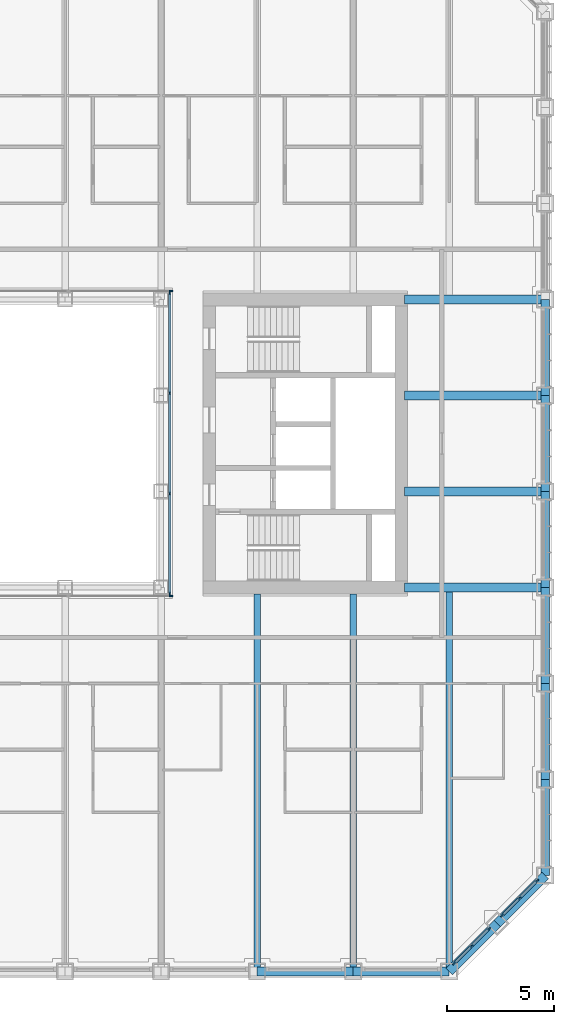
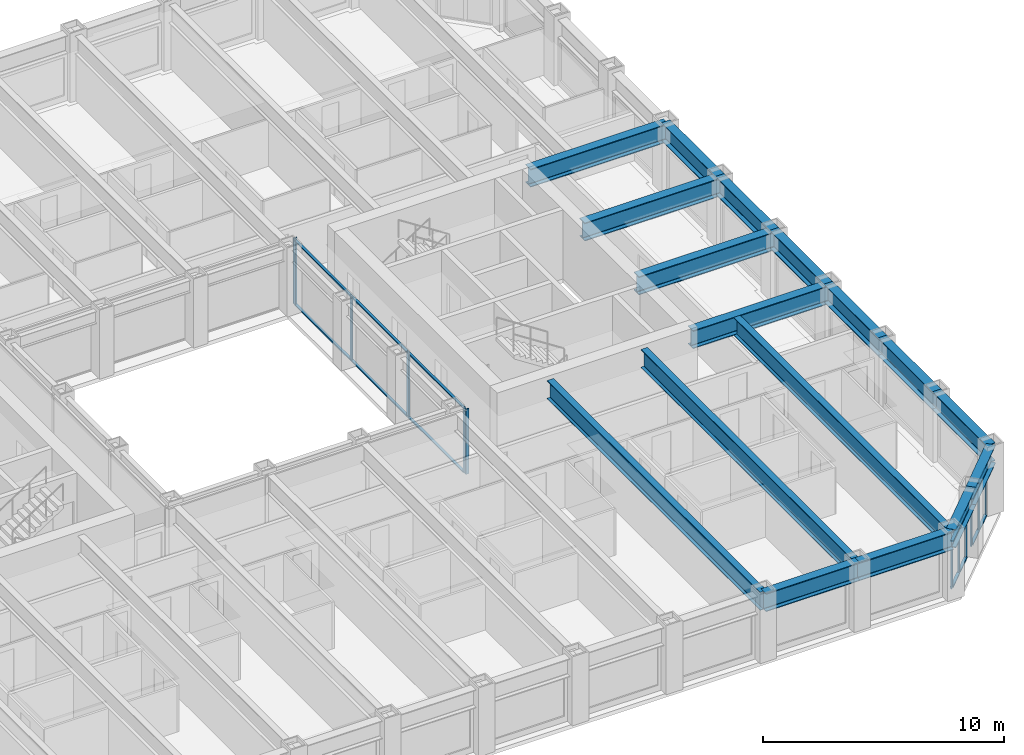
# One storey, part 5 of 21: 26 members, 17 beams, 5 elements without a shape of their own.
"""IFC4 building model written with IfcOpenShell, lengths in metres."""

from ifc_helpers import new_model, si_unit, direction, frame, origin, origin_2d, place, context, subcontext, project, spatial, rectangle, i_section, extrude, material, material_profile, profile_set, type_object, element, aggregate, save


model = new_model("IFC4")

# Units and contexts
model_context = context("Model", 3, precision=1e-05, world=origin(), true_north=direction((0.0, 1.0)))
body_context = subcontext(model_context, "Body", "Model", "MODEL_VIEW")
ifc_project = project(units=[si_unit("LENGTHUNIT", "METRE"), si_unit("AREAUNIT", "SQUARE_METRE"), si_unit("VOLUMEUNIT", "CUBIC_METRE"), si_unit("PLANEANGLEUNIT", "RADIAN"), si_unit("MASSUNIT", "GRAM", prefix="KILO")], contexts=[model_context])

# Site, building, storey
site_placement = place(None, origin())
site = spatial("IfcSite", under=ifc_project, at=site_placement, CompositionType="ELEMENT")
building_placement = place(site_placement, origin())
building = spatial("IfcBuilding", under=site, at=building_placement, Name="Msasa Ring Tower", CompositionType="ELEMENT")
storey_placement = place(building_placement, frame((0.0, 0.0, 47.5)))
storey = spatial("IfcBuildingStorey", under=building, at=storey_placement, Name="L11", CompositionType="ELEMENT", Elevation=47.5)

# Curtain wall, members
ifc_material_1 = material(Name="Aluminium curtain wall with clear glass", Category="aluminium")
curtain_wall_type_1 = type_object("IfcCurtainWallType", Name="CW-C CHAMFER CORNER CURTAIN WALL", PredefinedType="NOTDEFINED", material=ifc_material_1)
curtain_wall_1_placement = place(storey_placement, origin())
curtain_wall_1 = element("IfcCurtainWall", 1, at=curtain_wall_1_placement, inside=storey, type_object=curtain_wall_type_1, Name="Chamfer corner curtain wall SE L11", PredefinedType="NOTDEFINED")
ifc_material_2 = material(Name="Aluminium mullion", Category="aluminium")
ifc_material_profile_1 = material_profile(ifc_material_2, rectangle(XDim=0.06494140625, YDim=0.179931640625, at=origin_2d()), Name="AL 65x180")
ifc_profile_set_1 = profile_set([ifc_material_profile_1], Name="Aluminium mullion")
member_type_1 = type_object("IfcMemberType", Name="CW-C MULLION 65x180", PredefinedType="MULLION", material=ifc_profile_set_1)
member_1_placement = place(storey_placement, frame((20.48876953125, -24.369873046875, 0.0), z_axis=(0.0, 0.0, 1.0), x_axis=(-0.707106781187, 0.707106781187, 0.0)))
member_1 = element("IfcMember", 2, at=member_1_placement, type_object=member_type_1, Name="CW-C mullion 1", PredefinedType="MULLION", context=body_context, shape_type="SweptSolid", body=[
    extrude(rectangle(XDim=0.06494140625, YDim=0.179931640625, at=origin_2d()), origin(), (0.0, 0.0, 1.0), 2.37890625),
])
member_2_placement = place(storey_placement, frame((21.30419921875, -23.55419921875, 0.0), z_axis=(0.0, 0.0, 1.0), x_axis=(-0.707106781187, 0.707106781187, 0.0)))
member_2 = element("IfcMember", 3, at=member_2_placement, type_object=member_type_1, Name="CW-C mullion 2", PredefinedType="MULLION", context=body_context, shape_type="SweptSolid", body=[
    extrude(rectangle(XDim=0.06494140625, YDim=0.179931640625, at=origin_2d()), origin(), (0.0, 0.0, 1.0), 2.37890625),
])
member_3_placement = place(storey_placement, frame((22.119873046875, -22.73876953125, 0.0), z_axis=(0.0, 0.0, 1.0), x_axis=(-0.707106781187, 0.707106781187, 0.0)))
member_3 = element("IfcMember", 4, at=member_3_placement, type_object=member_type_1, Name="CW-C mullion 3", PredefinedType="MULLION", context=body_context, shape_type="SweptSolid", body=[
    extrude(rectangle(XDim=0.06494140625, YDim=0.179931640625, at=origin_2d()), origin(), (0.0, 0.0, 1.0), 2.37890625),
])

curtain_wall_2_placement = place(storey_placement, origin())
curtain_wall_2 = element("IfcCurtainWall", 5, at=curtain_wall_2_placement, inside=storey, type_object=curtain_wall_type_1, Name="Chamfer corner curtain wall SE L11", PredefinedType="NOTDEFINED")
member_4_placement = place(storey_placement, frame((22.73876953125, -22.119873046875, 0.0), z_axis=(0.0, 0.0, 1.0), x_axis=(-0.707106781187, 0.707106781187, 0.0)))
member_4 = element("IfcMember", 6, at=member_4_placement, type_object=member_type_1, Name="CW-C mullion 1", PredefinedType="MULLION", context=body_context, shape_type="SweptSolid", body=[
    extrude(rectangle(XDim=0.06494140625, YDim=0.179931640625, at=origin_2d()), origin(), (0.0, 0.0, 1.0), 2.37890625),
])
member_5_placement = place(storey_placement, frame((23.55419921875, -21.30419921875, 0.0), z_axis=(0.0, 0.0, 1.0), x_axis=(-0.707106781187, 0.707106781187, 0.0)))
member_5 = element("IfcMember", 7, at=member_5_placement, type_object=member_type_1, Name="CW-C mullion 2", PredefinedType="MULLION", context=body_context, shape_type="SweptSolid", body=[
    extrude(rectangle(XDim=0.06494140625, YDim=0.179931640625, at=origin_2d()), origin(), (0.0, 0.0, 1.0), 2.37890625),
])
member_6_placement = place(storey_placement, frame((24.369873046875, -20.48876953125, 0.0), z_axis=(0.0, 0.0, 1.0), x_axis=(-0.707106781187, 0.707106781187, 0.0)))
member_6 = element("IfcMember", 8, at=member_6_placement, type_object=member_type_1, Name="CW-C mullion 3", PredefinedType="MULLION", context=body_context, shape_type="SweptSolid", body=[
    extrude(rectangle(XDim=0.06494140625, YDim=0.179931640625, at=origin_2d()), origin(), (0.0, 0.0, 1.0), 2.37890625),
])

# Member
ifc_material_3 = material(Name="Aluminium transom", Category="aluminium")
ifc_material_profile_2 = material_profile(ifc_material_3, rectangle(XDim=0.139892578125, YDim=0.06494140625, at=origin_2d()), Name="AL 65x140")
ifc_profile_set_2 = profile_set([ifc_material_profile_2], Name="Aluminium transom")
member_type_2 = type_object("IfcMemberType", Name="CW-C TRANSOM 65x140", PredefinedType="USERDEFINED", material=ifc_profile_set_2)
member_7_placement = place(storey_placement, frame((20.51171875, -24.346923828125, 0.032470703125), z_axis=(0.707106781187, 0.707106781187, 0.0), x_axis=(-0.707106781187, 0.707106781187, 0.0)))
member_7 = element("IfcMember", 9, at=member_7_placement, type_object=member_type_2, Name="CW-C transom 1.1", ObjectType="TRANSOM", PredefinedType="USERDEFINED", context=body_context, shape_type="SweptSolid", body=[
    extrude(rectangle(XDim=0.139892578125, YDim=0.06494140625, at=origin_2d()), origin(), (0.0, 0.0, 1.0), 1.08837890625),
])

member_8_placement = place(storey_placement, frame((20.51171875, -24.346923828125, 2.346435546875), z_axis=(0.707106781187, 0.707106781187, 0.0), x_axis=(-0.707106781187, 0.707106781187, 0.0)))
member_8 = element("IfcMember", 10, at=member_8_placement, type_object=member_type_2, Name="CW-C transom 1.2", ObjectType="TRANSOM", PredefinedType="USERDEFINED", context=body_context, shape_type="SweptSolid", body=[
    extrude(rectangle(XDim=0.139892578125, YDim=0.06494140625, at=origin_2d()), origin(), (0.0, 0.0, 1.0), 1.08837890625),
])

member_9_placement = place(storey_placement, frame((21.327392578125, -23.53125, 0.032470703125), z_axis=(0.707106781187, 0.707106781187, 0.0), x_axis=(-0.707106781187, 0.707106781187, 0.0)))
member_9 = element("IfcMember", 11, at=member_9_placement, type_object=member_type_2, Name="CW-C transom 2.1", ObjectType="TRANSOM", PredefinedType="USERDEFINED", context=body_context, shape_type="SweptSolid", body=[
    extrude(rectangle(XDim=0.139892578125, YDim=0.06494140625, at=origin_2d()), origin(), (0.0, 0.0, 1.0), 1.08837890625),
])

member_10_placement = place(storey_placement, frame((21.327392578125, -23.53125, 2.346435546875), z_axis=(0.707106781187, 0.707106781187, 0.0), x_axis=(-0.707106781187, 0.707106781187, 0.0)))
member_10 = element("IfcMember", 12, at=member_10_placement, type_object=member_type_2, Name="CW-C transom 2.2", ObjectType="TRANSOM", PredefinedType="USERDEFINED", context=body_context, shape_type="SweptSolid", body=[
    extrude(rectangle(XDim=0.139892578125, YDim=0.06494140625, at=origin_2d()), origin(), (0.0, 0.0, 1.0), 1.08837890625),
])

aggregate(curtain_wall_1, [member_1, member_2, member_3, member_7, member_8, member_9, member_10])

member_11_placement = place(storey_placement, frame((22.76171875, -22.096923828125, 0.032470703125), z_axis=(0.707106781187, 0.707106781187, 0.0), x_axis=(-0.707106781187, 0.707106781187, 0.0)))
member_11 = element("IfcMember", 13, at=member_11_placement, type_object=member_type_2, Name="CW-C transom 1.1", ObjectType="TRANSOM", PredefinedType="USERDEFINED", context=body_context, shape_type="SweptSolid", body=[
    extrude(rectangle(XDim=0.139892578125, YDim=0.06494140625, at=origin_2d()), origin(), (0.0, 0.0, 1.0), 1.08837890625),
])

member_12_placement = place(storey_placement, frame((22.76171875, -22.096923828125, 2.346435546875), z_axis=(0.707106781187, 0.707106781187, 0.0), x_axis=(-0.707106781187, 0.707106781187, 0.0)))
member_12 = element("IfcMember", 14, at=member_12_placement, type_object=member_type_2, Name="CW-C transom 1.2", ObjectType="TRANSOM", PredefinedType="USERDEFINED", context=body_context, shape_type="SweptSolid", body=[
    extrude(rectangle(XDim=0.139892578125, YDim=0.06494140625, at=origin_2d()), origin(), (0.0, 0.0, 1.0), 1.08837890625),
])

member_13_placement = place(storey_placement, frame((23.577392578125, -21.28125, 0.032470703125), z_axis=(0.707106781187, 0.707106781187, 0.0), x_axis=(-0.707106781187, 0.707106781187, 0.0)))
member_13 = element("IfcMember", 15, at=member_13_placement, type_object=member_type_2, Name="CW-C transom 2.1", ObjectType="TRANSOM", PredefinedType="USERDEFINED", context=body_context, shape_type="SweptSolid", body=[
    extrude(rectangle(XDim=0.139892578125, YDim=0.06494140625, at=origin_2d()), origin(), (0.0, 0.0, 1.0), 1.08837890625),
])

member_14_placement = place(storey_placement, frame((23.577392578125, -21.28125, 2.346435546875), z_axis=(0.707106781187, 0.707106781187, 0.0), x_axis=(-0.707106781187, 0.707106781187, 0.0)))
member_14 = element("IfcMember", 16, at=member_14_placement, type_object=member_type_2, Name="CW-C transom 2.2", ObjectType="TRANSOM", PredefinedType="USERDEFINED", context=body_context, shape_type="SweptSolid", body=[
    extrude(rectangle(XDim=0.139892578125, YDim=0.06494140625, at=origin_2d()), origin(), (0.0, 0.0, 1.0), 1.08837890625),
])

aggregate(curtain_wall_2, [member_4, member_5, member_6, member_11, member_12, member_13, member_14])

# Curtain wall, member
ifc_material_4 = material(Name="Aluminium curtain wall with clear glass", Category="aluminium")
curtain_wall_type_2 = type_object("IfcCurtainWallType", Name="CW-W LIGHT WELL CURTAIN WALL", PredefinedType="NOTDEFINED", material=ifc_material_4)
curtain_wall_3_placement = place(storey_placement, origin())
curtain_wall_3 = element("IfcCurtainWall", 17, at=curtain_wall_3_placement, inside=storey, type_object=curtain_wall_type_2, Name="Light well curtain wall N L11", PredefinedType="NOTDEFINED")
ifc_material_5 = material(Name="Aluminium mullion", Category="aluminium")
ifc_material_profile_3 = material_profile(ifc_material_5, rectangle(XDim=0.06005859375, YDim=0.159912109375, at=origin_2d()), Name="AL 60x160")
ifc_profile_set_3 = profile_set([ifc_material_profile_3], Name="Aluminium mullion")
member_type_3 = type_object("IfcMemberType", Name="CW-W MULLION 60x160", PredefinedType="MULLION", material=ifc_profile_set_3)
member_15_placement = place(storey_placement, frame((7.199951171875, 7.14990234375, 0.0), z_axis=(0.0, 0.0, 1.0), x_axis=(0.0, 1.0, 0.0)))
member_15 = element("IfcMember", 18, at=member_15_placement, type_object=member_type_3, Name="CW-W mullion 4", PredefinedType="MULLION", context=body_context, shape_type="SweptSolid", body=[
    extrude(rectangle(XDim=0.06005859375, YDim=0.159912109375, at=origin_2d()), origin(), (0.0, 0.0, 1.0), 3.300048828125),
])
aggregate(curtain_wall_3, [member_15])

curtain_wall_4_placement = place(storey_placement, origin())
curtain_wall_4 = element("IfcCurtainWall", 19, at=curtain_wall_4_placement, inside=storey, type_object=curtain_wall_type_2, Name="Light well curtain wall S L11", PredefinedType="NOTDEFINED")
member_16_placement = place(storey_placement, frame((7.199951171875, -7.14990234375, 0.0), z_axis=(0.0, 0.0, 1.0), x_axis=(0.0, 1.0, 0.0)))
member_16 = element("IfcMember", 20, at=member_16_placement, type_object=member_type_3, Name="CW-W mullion 4", PredefinedType="MULLION", context=body_context, shape_type="SweptSolid", body=[
    extrude(rectangle(XDim=0.06005859375, YDim=0.159912109375, at=origin_2d()), origin(), (0.0, 0.0, 1.0), 3.300048828125),
])
aggregate(curtain_wall_4, [member_16])

# Curtain wall, members
curtain_wall_5_placement = place(storey_placement, origin())
curtain_wall_5 = element("IfcCurtainWall", 21, at=curtain_wall_5_placement, inside=storey, type_object=curtain_wall_type_2, Name="Light well curtain wall E L11", PredefinedType="NOTDEFINED")
member_17_placement = place(storey_placement, frame((7.14990234375, -7.0400390625, 0.0), z_axis=(0.0, 0.0, 1.0), x_axis=(-1.0, 0.0, 0.0)))
member_17 = element("IfcMember", 22, at=member_17_placement, type_object=member_type_3, Name="CW-W mullion 1", PredefinedType="MULLION", context=body_context, shape_type="SweptSolid", body=[
    extrude(rectangle(XDim=0.06005859375, YDim=0.159912109375, at=origin_2d()), origin(), (0.0, 0.0, 1.0), 3.300048828125),
])
member_18_placement = place(storey_placement, frame((7.14990234375, -2.356689453125, 0.0), z_axis=(0.0, 0.0, 1.0), x_axis=(-1.0, 0.0, 0.0)))
member_18 = element("IfcMember", 23, at=member_18_placement, type_object=member_type_3, Name="CW-W mullion 2", PredefinedType="MULLION", context=body_context, shape_type="SweptSolid", body=[
    extrude(rectangle(XDim=0.06005859375, YDim=0.159912109375, at=origin_2d()), origin(), (0.0, 0.0, 1.0), 3.300048828125),
])
member_19_placement = place(storey_placement, frame((7.14990234375, 2.356689453125, 0.0), z_axis=(0.0, 0.0, 1.0), x_axis=(-1.0, 0.0, 0.0)))
member_19 = element("IfcMember", 24, at=member_19_placement, type_object=member_type_3, Name="CW-W mullion 3", PredefinedType="MULLION", context=body_context, shape_type="SweptSolid", body=[
    extrude(rectangle(XDim=0.06005859375, YDim=0.159912109375, at=origin_2d()), origin(), (0.0, 0.0, 1.0), 3.300048828125),
])
member_20_placement = place(storey_placement, frame((7.14990234375, 7.0400390625, 0.0), z_axis=(0.0, 0.0, 1.0), x_axis=(-1.0, 0.0, 0.0)))
member_20 = element("IfcMember", 25, at=member_20_placement, type_object=member_type_3, Name="CW-W mullion 4", PredefinedType="MULLION", context=body_context, shape_type="SweptSolid", body=[
    extrude(rectangle(XDim=0.06005859375, YDim=0.159912109375, at=origin_2d()), origin(), (0.0, 0.0, 1.0), 3.300048828125),
])
ifc_material_6 = material(Name="Aluminium transom", Category="aluminium")
ifc_material_profile_4 = material_profile(ifc_material_6, rectangle(XDim=0.1201171875, YDim=0.06005859375, at=origin_2d()), Name="AL 60x120")
ifc_profile_set_4 = profile_set([ifc_material_profile_4], Name="Aluminium transom")
member_type_4 = type_object("IfcMemberType", Name="CW-W TRANSOM 60x120", PredefinedType="USERDEFINED", material=ifc_profile_set_4)
member_21_placement = place(storey_placement, frame((7.14990234375, -7.010009765625, 0.030029296875), z_axis=(0.0, 1.0, 0.0), x_axis=(-1.0, 0.0, 0.0)))
member_21 = element("IfcMember", 26, at=member_21_placement, type_object=member_type_4, Name="CW-W transom 1.1", ObjectType="TRANSOM", PredefinedType="USERDEFINED", context=body_context, shape_type="SweptSolid", body=[
    extrude(rectangle(XDim=0.1201171875, YDim=0.06005859375, at=origin_2d()), origin(), (0.0, 0.0, 1.0), 4.623291015625),
])
member_22_placement = place(storey_placement, frame((7.14990234375, -7.010009765625, 3.27001953125), z_axis=(0.0, 1.0, 0.0), x_axis=(-1.0, 0.0, 0.0)))
member_22 = element("IfcMember", 27, at=member_22_placement, type_object=member_type_4, Name="CW-W transom 1.2", ObjectType="TRANSOM", PredefinedType="USERDEFINED", context=body_context, shape_type="SweptSolid", body=[
    extrude(rectangle(XDim=0.1201171875, YDim=0.06005859375, at=origin_2d()), origin(), (0.0, 0.0, 1.0), 4.623291015625),
])
member_23_placement = place(storey_placement, frame((7.14990234375, -2.32666015625, 0.030029296875), z_axis=(0.0, 1.0, 0.0), x_axis=(-1.0, 0.0, 0.0)))
member_23 = element("IfcMember", 28, at=member_23_placement, type_object=member_type_4, Name="CW-W transom 2.1", ObjectType="TRANSOM", PredefinedType="USERDEFINED", context=body_context, shape_type="SweptSolid", body=[
    extrude(rectangle(XDim=0.1201171875, YDim=0.06005859375, at=origin_2d()), origin(), (0.0, 0.0, 1.0), 4.6533203125),
])
member_24_placement = place(storey_placement, frame((7.14990234375, -2.32666015625, 3.27001953125), z_axis=(0.0, 1.0, 0.0), x_axis=(-1.0, 0.0, 0.0)))
member_24 = element("IfcMember", 29, at=member_24_placement, type_object=member_type_4, Name="CW-W transom 2.2", ObjectType="TRANSOM", PredefinedType="USERDEFINED", context=body_context, shape_type="SweptSolid", body=[
    extrude(rectangle(XDim=0.1201171875, YDim=0.06005859375, at=origin_2d()), origin(), (0.0, 0.0, 1.0), 4.6533203125),
])
member_25_placement = place(storey_placement, frame((7.14990234375, 2.38671875, 0.030029296875), z_axis=(0.0, 1.0, 0.0), x_axis=(-1.0, 0.0, 0.0)))
member_25 = element("IfcMember", 30, at=member_25_placement, type_object=member_type_4, Name="CW-W transom 3.1", ObjectType="TRANSOM", PredefinedType="USERDEFINED", context=body_context, shape_type="SweptSolid", body=[
    extrude(rectangle(XDim=0.1201171875, YDim=0.06005859375, at=origin_2d()), origin(), (0.0, 0.0, 1.0), 4.623291015625),
])
member_26_placement = place(storey_placement, frame((7.14990234375, 2.38671875, 3.27001953125), z_axis=(0.0, 1.0, 0.0), x_axis=(-1.0, 0.0, 0.0)))
member_26 = element("IfcMember", 31, at=member_26_placement, type_object=member_type_4, Name="CW-W transom 3.2", ObjectType="TRANSOM", PredefinedType="USERDEFINED", context=body_context, shape_type="SweptSolid", body=[
    extrude(rectangle(XDim=0.1201171875, YDim=0.06005859375, at=origin_2d()), origin(), (0.0, 0.0, 1.0), 4.623291015625),
])
aggregate(curtain_wall_5, [member_17, member_18, member_19, member_20, member_21, member_22, member_23, member_24, member_25, member_26])

# Beams
ifc_material_7 = material(Name="Steel S355", Category="steel")
ifc_material_profile_5 = material_profile(ifc_material_7, i_section(OverallWidth=0.42041015625, OverallDepth=0.9208984375, WebThickness=0.021484375, FlangeThickness=0.03662109375, FilletRadius=0.024169921875, at=origin_2d()), Name="UB 914x419x388")
ifc_profile_set_5 = profile_set([ifc_material_profile_5], Name="Steel S355")
beam_type_1 = type_object("IfcBeamType", Name="FB2 UB 914x419x388", PredefinedType="BEAM", material=ifc_profile_set_5)
for number, where, z_axis, x_axis, name in (
    (32, (24.75, -2.25, 2.839599609375), (-1.0, 0.0, 0.0), (0.0, -1.0, 0.0), "Floor beam E -2.25 under L12"),
    (33, (24.75, 2.25, 2.839599609375), (-1.0, 0.0, 0.0), (0.0, -1.0, 0.0), "Floor beam E +2.25 under L12"),
):
    element("IfcBeam", number, at=place(storey_placement, frame(where, z_axis=z_axis, x_axis=x_axis)), inside=storey, type_object=beam_type_1, Name=name, PredefinedType="BEAM", context=body_context, shape_type="SweptSolid", body=[
        extrude(i_section(OverallWidth=0.42041015625, OverallDepth=0.9208984375, WebThickness=0.021484375, FlangeThickness=0.03662109375, FilletRadius=0.024169921875, at=origin_2d()), origin(), (0.0, 0.0, 1.0), 6.60009765625),
    ])
ifc_material_8 = material(Name="Steel S355", Category="steel")
ifc_material_profile_6 = material_profile(ifc_material_8, i_section(OverallWidth=0.3076171875, OverallDepth=0.926513671875, WebThickness=0.01953125, FlangeThickness=0.031982421875, FilletRadius=0.01904296875, at=origin_2d()), Name="UB 914x305x289")
ifc_profile_set_6 = profile_set([ifc_material_profile_6], Name="Steel S355")
beam_type_2 = type_object("IfcBeamType", Name="FB3 UB 914x305x289", PredefinedType="BEAM", material=ifc_profile_set_6)
for number, where, z_axis, x_axis, name in (
    (34, (11.25, -24.75, 2.836669921875), (0.0, 1.0, 0.0), (-1.0, 0.0, 0.0), "Floor beam S+11.25 under L12"),
    (35, (15.75, -24.75, 2.836669921875), (0.0, 1.0, 0.0), (-1.0, 0.0, 0.0), "Floor beam S+15.75 under L12"),
):
    element("IfcBeam", number, at=place(storey_placement, frame(where, z_axis=z_axis, x_axis=x_axis)), inside=storey, type_object=beam_type_2, Name=name, PredefinedType="BEAM", context=body_context, shape_type="SweptSolid", body=[
        extrude(i_section(OverallWidth=0.3076171875, OverallDepth=0.926513671875, WebThickness=0.01953125, FlangeThickness=0.031982421875, FilletRadius=0.01904296875, at=origin_2d()), origin(), (0.0, 0.0, 1.0), 17.699951171875),
    ])
beam_placement = place(storey_placement, frame((20.25, -24.75, 2.836669921875), z_axis=(0.0, 1.0, 0.0), x_axis=(-1.0, 0.0, 0.0)))
element("IfcBeam", 36, at=beam_placement, inside=storey, type_object=beam_type_2, Name="Floor beam S+20.25 under L12", PredefinedType="BEAM", context=body_context, shape_type="SweptSolid", body=[
    extrude(i_section(OverallWidth=0.3076171875, OverallDepth=0.926513671875, WebThickness=0.01953125, FlangeThickness=0.031982421875, FilletRadius=0.01904296875, at=origin_2d()), origin(), (0.0, 0.0, 1.0), 17.789794921875),
])
ifc_material_9 = material(Name="Steel S355", Category="steel")
ifc_material_profile_7 = material_profile(ifc_material_9, i_section(OverallWidth=0.42041015625, OverallDepth=0.9208984375, WebThickness=0.021484375, FlangeThickness=0.03662109375, FilletRadius=0.024169921875, at=origin_2d()), Name="UB 914x419x388")
ifc_profile_set_7 = profile_set([ifc_material_profile_7], Name="Steel S355")
beam_type_3 = type_object("IfcBeamType", Name="GB1 UB 914x419x388", PredefinedType="BEAM", material=ifc_profile_set_7)
for number, where, z_axis, x_axis, name in (
    (37, (18.14990234375, 6.75, 2.839599609375), (1.0, 0.0, 0.0), (0.0, 1.0, 0.0), "Girder E +6.75 under L12"),
    (38, (18.14990234375, -6.75, 2.839599609375), (1.0, 0.0, 0.0), (0.0, 1.0, 0.0), "Girder E -6.75 under L12"),
):
    element("IfcBeam", number, at=place(storey_placement, frame(where, z_axis=z_axis, x_axis=x_axis)), inside=storey, type_object=beam_type_3, Name=name, PredefinedType="BEAM", context=body_context, shape_type="SweptSolid", body=[
        extrude(i_section(OverallWidth=0.42041015625, OverallDepth=0.9208984375, WebThickness=0.021484375, FlangeThickness=0.03662109375, FilletRadius=0.024169921875, at=origin_2d()), origin(), (0.0, 0.0, 1.0), 6.60009765625),
    ])
ifc_material_10 = material(Name="Steel S355", Category="steel")
ifc_material_profile_8 = material_profile(ifc_material_10, i_section(OverallWidth=0.42041015625, OverallDepth=0.9208984375, WebThickness=0.021484375, FlangeThickness=0.03662109375, FilletRadius=0.024169921875, at=origin_2d()), Name="UB 914x419x388")
ifc_profile_set_8 = profile_set([ifc_material_profile_8], Name="Steel S355")
beam_type_4 = type_object("IfcBeamType", Name="SB1 UB 914x419x388", PredefinedType="SPANDREL", material=ifc_profile_set_8)
for number, where, z_axis, x_axis, name in (
    (39, (11.25, -24.75, 2.839599609375), (1.0, 0.0, 0.0), (0.0, 1.0, 0.0), "Spandrel S+11.25 to S+15.75 under L12"),
    (40, (15.75, -24.75, 2.839599609375), (1.0, 0.0, 0.0), (0.0, 1.0, 0.0), "Spandrel S+15.75 to S+20.25 under L12"),
):
    element("IfcBeam", number, at=place(storey_placement, frame(where, z_axis=z_axis, x_axis=x_axis)), inside=storey, type_object=beam_type_4, Name=name, PredefinedType="SPANDREL", context=body_context, shape_type="SweptSolid", body=[
        extrude(i_section(OverallWidth=0.42041015625, OverallDepth=0.9208984375, WebThickness=0.021484375, FlangeThickness=0.03662109375, FilletRadius=0.024169921875, at=origin_2d()), origin(), (0.0, 0.0, 1.0), 4.5),
    ])
for number, where, z_axis, x_axis, name in (
    (41, (20.25, -24.75, 2.839599609375), (0.707106781187, 0.707106781187, 0.0), (-0.707106781187, 0.707106781187, 0.0), "Spandrel S+20.25 to SE under L12"),
    (42, (22.5, -22.5, 2.839599609375), (0.707106781187, 0.707106781187, 0.0), (-0.707106781187, 0.707106781187, 0.0), "Spandrel SE to E-20.25 under L12"),
):
    element("IfcBeam", number, at=place(storey_placement, frame(where, z_axis=z_axis, x_axis=x_axis)), inside=storey, type_object=beam_type_4, Name=name, PredefinedType="SPANDREL", context=body_context, shape_type="SweptSolid", body=[
        extrude(i_section(OverallWidth=0.42041015625, OverallDepth=0.9208984375, WebThickness=0.021484375, FlangeThickness=0.03662109375, FilletRadius=0.024169921875, at=origin_2d()), origin(), (0.0, 0.0, 1.0), 3.181884765625),
    ])
for number, where, z_axis, x_axis, name in (
    (43, (24.75, -20.25, 2.839599609375), (0.0, 1.0, 0.0), (-1.0, 0.0, 0.0), "Spandrel E-20.25 to E-15.75 under L12"),
    (44, (24.75, -15.75, 2.839599609375), (0.0, 1.0, 0.0), (-1.0, 0.0, 0.0), "Spandrel E-15.75 to E-11.25 under L12"),
    (45, (24.75, -11.25, 2.839599609375), (0.0, 1.0, 0.0), (-1.0, 0.0, 0.0), "Spandrel E-11.25 to E-6.75 under L12"),
    (46, (24.75, -6.75, 2.839599609375), (0.0, 1.0, 0.0), (-1.0, 0.0, 0.0), "Spandrel E-6.75 to E-2.25 under L12"),
    (47, (24.75, -2.25, 2.839599609375), (0.0, 1.0, 0.0), (-1.0, 0.0, 0.0), "Spandrel E-2.25 to E+2.25 under L12"),
    (48, (24.75, 2.25, 2.839599609375), (0.0, 1.0, 0.0), (-1.0, 0.0, 0.0), "Spandrel E+2.25 to E+6.75 under L12"),
):
    element("IfcBeam", number, at=place(storey_placement, frame(where, z_axis=z_axis, x_axis=x_axis)), inside=storey, type_object=beam_type_4, Name=name, PredefinedType="SPANDREL", context=body_context, shape_type="SweptSolid", body=[
        extrude(i_section(OverallWidth=0.42041015625, OverallDepth=0.9208984375, WebThickness=0.021484375, FlangeThickness=0.03662109375, FilletRadius=0.024169921875, at=origin_2d()), origin(), (0.0, 0.0, 1.0), 4.5),
    ])

save(model, "model.ifc")
